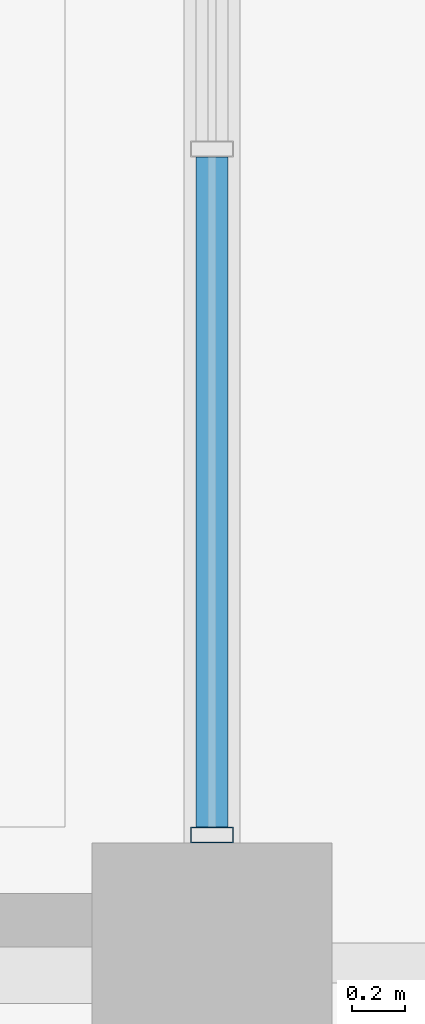
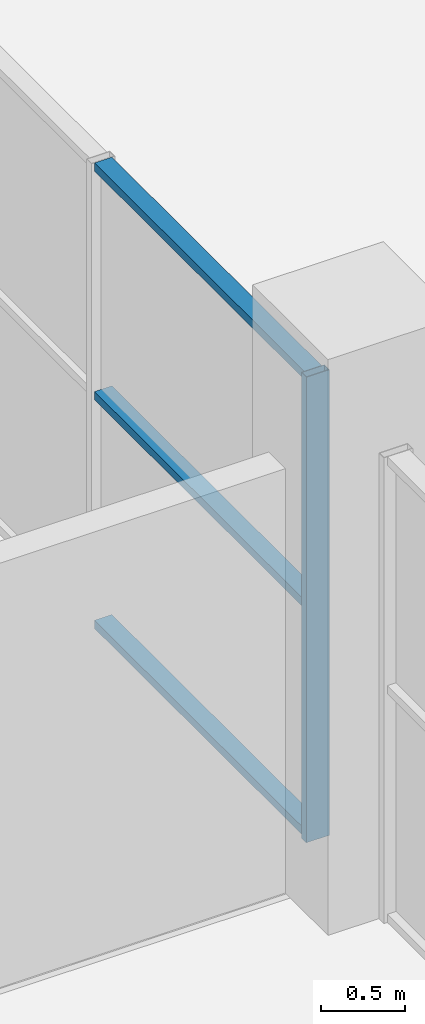
# One storey, part 74 of 161: 4 members, 1 element without a shape of its own.
"""IFC4 building model written with IfcOpenShell, lengths in metres."""

from ifc_helpers import new_model, si_unit, direction, frame, origin, origin_2d, place, context, subcontext, project, spatial, hollow_rectangle, extrude, material, material_profile, profile_set, type_object, element, aggregate, save


model = new_model("IFC4")

# Units and contexts
model_context = context("Model", 3, precision=1e-05, world=origin(), true_north=direction((0.0, 1.0)))
body_context = subcontext(model_context, "Body", "Model", "MODEL_VIEW")
ifc_project = project(units=[si_unit("LENGTHUNIT", "METRE"), si_unit("AREAUNIT", "SQUARE_METRE"), si_unit("VOLUMEUNIT", "CUBIC_METRE"), si_unit("PLANEANGLEUNIT", "RADIAN"), si_unit("MASSUNIT", "GRAM", prefix="KILO"), si_unit("THERMODYNAMICTEMPERATUREUNIT", "KELVIN")], contexts=[model_context])

# Site, building, storey
site_placement = place(None, origin())
site = spatial("IfcSite", under=ifc_project, at=site_placement, CompositionType="ELEMENT")
building_placement = place(site_placement, origin())
building = spatial("IfcBuilding", under=site, at=building_placement, Name="Nduvali Passage Aquatics Centre", CompositionType="ELEMENT")
storey_placement = place(building_placement, frame((0.0, 0.0, 4.800048828125)))
storey = spatial("IfcBuildingStorey", under=building, at=storey_placement, Name="L01", CompositionType="ELEMENT", Elevation=4.800048828125)

# Curtain wall, members
ifc_material = material(Name="Aluminium EN AW-6063 T6", Category="aluminium")
curtain_wall_type = type_object("IfcCurtainWallType", Name="ENV-CW-PASS", PredefinedType="NOTDEFINED", material=ifc_material)
curtain_wall_placement = place(storey_placement, origin())
curtain_wall = element("IfcCurtainWall", 1, at=curtain_wall_placement, inside=storey, type_object=curtain_wall_type, Name="L01 East Passage Fitness CW 117", PredefinedType="NOTDEFINED")
ifc_material_profile_1 = material_profile(ifc_material, hollow_rectangle(XDim=0.06005859375, YDim=0.159912109375, WallThickness=0.00390625, at=origin_2d()), Name="ALU MULLION 60x160x4")
ifc_profile_set_1 = profile_set([ifc_material_profile_1], Name="Aluminium EN AW-6063 T6")
member_type_1 = type_object("IfcMemberType", Name="ENV-MEM-MUL60", PredefinedType="MULLION", material=ifc_profile_set_1)
member_1_placement = place(storey_placement, frame((126.0, 92.8798828125, 0.0), z_axis=(0.0, 0.0, 1.0), x_axis=(0.0, 1.0, 0.0)))
member_1 = element("IfcMember", 2, at=member_1_placement, type_object=member_type_1, Name="East Passage Fitness CW Mullion 1", PredefinedType="MULLION", context=body_context, shape_type="SweptSolid", body=[
    extrude(hollow_rectangle(XDim=0.06005859375, YDim=0.159912109375, WallThickness=0.00390625, at=origin_2d()), origin(), (0.0, 0.0, 1.0), 3.396484375),
])
ifc_material_profile_2 = material_profile(ifc_material, hollow_rectangle(XDim=0.1201171875, YDim=0.06005859375, WallThickness=0.00390625, at=origin_2d()), Name="ALU TRANSOM 120x60x4")
ifc_profile_set_2 = profile_set([ifc_material_profile_2], Name="Aluminium EN AW-6063 T6")
member_type_2 = type_object("IfcMemberType", Name="ENV-MEM-TRN60", PredefinedType="USERDEFINED", material=ifc_profile_set_2)
member_2_placement = place(storey_placement, frame((126.0, 92.909912109375, 0.030029296875), z_axis=(0.0, 1.0, 0.0), x_axis=(-1.0, 0.0, 0.0)))
member_2 = element("IfcMember", 3, at=member_2_placement, type_object=member_type_2, Name="East Passage Fitness CW Transom B1-R0", ObjectType="TRANSOM", PredefinedType="USERDEFINED", context=body_context, shape_type="SweptSolid", body=[
    extrude(hollow_rectangle(XDim=0.1201171875, YDim=0.06005859375, WallThickness=0.00390625, at=origin_2d()), origin(), (0.0, 0.0, 1.0), 2.506591796875),
])
member_3_placement = place(storey_placement, frame((126.0, 92.909912109375, 1.6982421875), z_axis=(0.0, 1.0, 0.0), x_axis=(-1.0, 0.0, 0.0)))
member_3 = element("IfcMember", 4, at=member_3_placement, type_object=member_type_2, Name="East Passage Fitness CW Transom B1-R1", ObjectType="TRANSOM", PredefinedType="USERDEFINED", context=body_context, shape_type="SweptSolid", body=[
    extrude(hollow_rectangle(XDim=0.1201171875, YDim=0.06005859375, WallThickness=0.00390625, at=origin_2d()), origin(), (0.0, 0.0, 1.0), 2.506591796875),
])
member_4_placement = place(storey_placement, frame((126.0, 92.909912109375, 3.366455078125), z_axis=(0.0, 1.0, 0.0), x_axis=(-1.0, 0.0, 0.0)))
member_4 = element("IfcMember", 5, at=member_4_placement, type_object=member_type_2, Name="East Passage Fitness CW Transom B1-R2", ObjectType="TRANSOM", PredefinedType="USERDEFINED", context=body_context, shape_type="SweptSolid", body=[
    extrude(hollow_rectangle(XDim=0.1201171875, YDim=0.06005859375, WallThickness=0.00390625, at=origin_2d()), origin(), (0.0, 0.0, 1.0), 2.506591796875),
])
aggregate(curtain_wall, [member_1, member_2, member_3, member_4])

save(model, "model.ifc")
